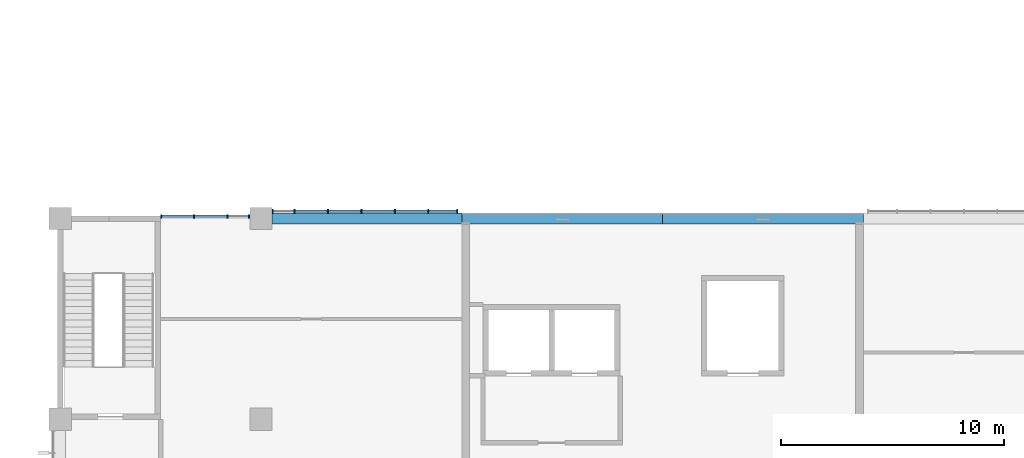
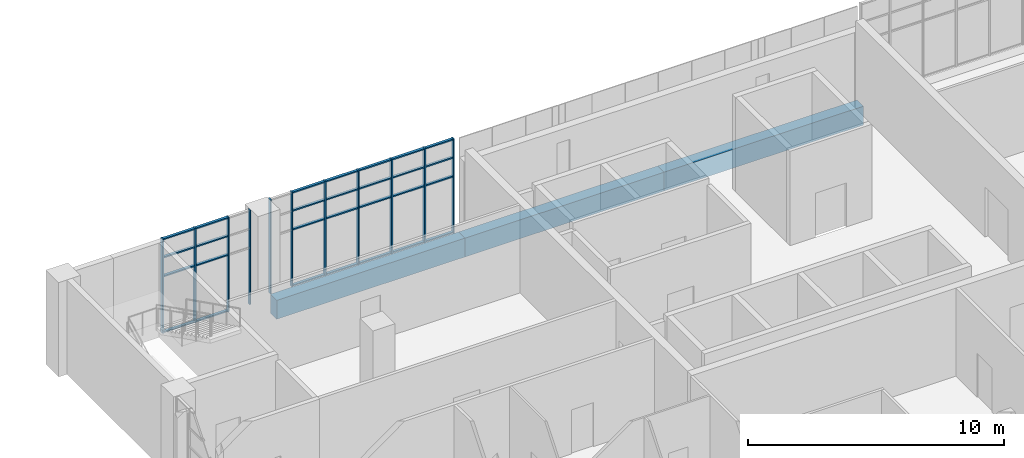
# One storey, part 31 of 88: 39 members, 3 beams, 2 elements without a shape of their own.
"""IFC4 building model written with IfcOpenShell, lengths in metres."""

from ifc_helpers import new_model, si_unit, direction, frame, origin, origin_2d, place, context, subcontext, project, spatial, rectangle, extrude, material, layer, layer_set, material_profile, profile_set, type_object, element, aggregate, save


model = new_model("IFC4")

# Units and contexts
model_context = context("Model", 3, precision=1e-05, world=origin(), true_north=direction((0.0, 1.0)))
body_context = subcontext(model_context, "Body", "Model", "MODEL_VIEW")
ifc_project = project(units=[si_unit("LENGTHUNIT", "METRE"), si_unit("AREAUNIT", "SQUARE_METRE"), si_unit("VOLUMEUNIT", "CUBIC_METRE"), si_unit("PLANEANGLEUNIT", "RADIAN"), si_unit("MASSUNIT", "GRAM", prefix="KILO")], contexts=[model_context])

# Site, building, storey
site_placement = place(None, origin())
site = spatial("IfcSite", under=ifc_project, at=site_placement, CompositionType="ELEMENT")
building_placement = place(site_placement, origin())
building = spatial("IfcBuilding", under=site, at=building_placement, Name="Guidao Yard Department Store", CompositionType="ELEMENT")
storey_placement = place(building_placement, frame((0.0, 0.0, 6.0)))
storey = spatial("IfcBuildingStorey", under=building, at=storey_placement, Name="L01", CompositionType="ELEMENT", Elevation=6.0)

# Curtain wall, members
ifc_material_1 = material(Name="Aluminium and glass", Category="aluminium")
ifc_layer = layer(ifc_material_1, 0.159912109375)
ifc_layer_set = layer_set([ifc_layer], Name="Unitised curtain wall CW4 1500 module")
curtain_wall_type = type_object("IfcCurtainWallType", Name="Unitised curtain wall CW4 1500 module", PredefinedType="NOTDEFINED", material=ifc_layer_set)
curtain_wall_1_placement = place(storey_placement, origin())
curtain_wall_1 = element("IfcCurtainWall", 1, at=curtain_wall_1_placement, inside=storey, type_object=curtain_wall_type, Name="Unitised curtain wall", PredefinedType="NOTDEFINED")
ifc_material_2 = material(Name="Aluminium 6063-T5", Category="aluminium")
ifc_material_profile_1 = material_profile(ifc_material_2, rectangle(XDim=0.06005859375, YDim=0.159912109375, at=origin_2d()), Name="Mullion M1 60 x 160 aluminium pressure plate")
ifc_profile_set_1 = profile_set([ifc_material_profile_1], Name="Aluminium 6063-T5")
member_type_1 = type_object("IfcMemberType", Name="Mullion M1 60 x 160 aluminium pressure plate", PredefinedType="MULLION", material=ifc_profile_set_1)
member_1_placement = place(storey_placement, frame((130.530029296875, 27.10009765625, 0.0), z_axis=(0.0, 0.0, 1.0), x_axis=(1.0, 0.0, 0.0)))
member_1 = element("IfcMember", 2, at=member_1_placement, type_object=member_type_1, Name="CW-OW-L01-06 mullion 1", PredefinedType="MULLION", context=body_context, shape_type="SweptSolid", body=[
    extrude(rectangle(XDim=0.06005859375, YDim=0.159912109375, at=origin_2d()), origin(), (0.0, 0.0, 1.0), 4.5),
])
member_2_placement = place(storey_placement, frame((132.0, 27.10009765625, 0.0), z_axis=(0.0, 0.0, 1.0), x_axis=(1.0, 0.0, 0.0)))
member_2 = element("IfcMember", 3, at=member_2_placement, type_object=member_type_1, Name="CW-OW-L01-06 mullion 2", PredefinedType="MULLION", context=body_context, shape_type="SweptSolid", body=[
    extrude(rectangle(XDim=0.06005859375, YDim=0.159912109375, at=origin_2d()), origin(), (0.0, 0.0, 1.0), 4.5),
])
member_3_placement = place(storey_placement, frame((133.5, 27.10009765625, 0.0), z_axis=(0.0, 0.0, 1.0), x_axis=(1.0, 0.0, 0.0)))
member_3 = element("IfcMember", 4, at=member_3_placement, type_object=member_type_1, Name="CW-OW-L01-06 mullion 3", PredefinedType="MULLION", context=body_context, shape_type="SweptSolid", body=[
    extrude(rectangle(XDim=0.06005859375, YDim=0.159912109375, at=origin_2d()), origin(), (0.0, 0.0, 1.0), 4.5),
])
member_4_placement = place(storey_placement, frame((134.469970703125, 27.10009765625, 0.0), z_axis=(0.0, 0.0, 1.0), x_axis=(1.0, 0.0, 0.0)))
member_4 = element("IfcMember", 5, at=member_4_placement, type_object=member_type_1, Name="CW-OW-L01-06 mullion 4", PredefinedType="MULLION", context=body_context, shape_type="SweptSolid", body=[
    extrude(rectangle(XDim=0.06005859375, YDim=0.159912109375, at=origin_2d()), origin(), (0.0, 0.0, 1.0), 4.5),
])

curtain_wall_2_placement = place(storey_placement, origin())
curtain_wall_2 = element("IfcCurtainWall", 6, at=curtain_wall_2_placement, inside=storey, type_object=curtain_wall_type, Name="Unitised curtain wall", PredefinedType="NOTDEFINED")
member_5_placement = place(storey_placement, frame((135.530029296875, 27.330078125, 0.0), z_axis=(0.0, 0.0, 1.0), x_axis=(1.0, 0.0, 0.0)))
member_5 = element("IfcMember", 7, at=member_5_placement, type_object=member_type_1, Name="CW-OW-L01-07 mullion 1", PredefinedType="MULLION", context=body_context, shape_type="SweptSolid", body=[
    extrude(rectangle(XDim=0.06005859375, YDim=0.159912109375, at=origin_2d()), origin(), (0.0, 0.0, 1.0), 4.5),
])
member_6_placement = place(storey_placement, frame((136.5, 27.330078125, 0.0), z_axis=(0.0, 0.0, 1.0), x_axis=(1.0, 0.0, 0.0)))
member_6 = element("IfcMember", 8, at=member_6_placement, type_object=member_type_1, Name="CW-OW-L01-07 mullion 2", PredefinedType="MULLION", context=body_context, shape_type="SweptSolid", body=[
    extrude(rectangle(XDim=0.06005859375, YDim=0.159912109375, at=origin_2d()), origin(), (0.0, 0.0, 1.0), 4.5),
])
member_7_placement = place(storey_placement, frame((138.0, 27.330078125, 0.0), z_axis=(0.0, 0.0, 1.0), x_axis=(1.0, 0.0, 0.0)))
member_7 = element("IfcMember", 9, at=member_7_placement, type_object=member_type_1, Name="CW-OW-L01-07 mullion 3", PredefinedType="MULLION", context=body_context, shape_type="SweptSolid", body=[
    extrude(rectangle(XDim=0.06005859375, YDim=0.159912109375, at=origin_2d()), origin(), (0.0, 0.0, 1.0), 4.5),
])
member_8_placement = place(storey_placement, frame((139.5, 27.330078125, 0.0), z_axis=(0.0, 0.0, 1.0), x_axis=(1.0, 0.0, 0.0)))
member_8 = element("IfcMember", 10, at=member_8_placement, type_object=member_type_1, Name="CW-OW-L01-07 mullion 4", PredefinedType="MULLION", context=body_context, shape_type="SweptSolid", body=[
    extrude(rectangle(XDim=0.06005859375, YDim=0.159912109375, at=origin_2d()), origin(), (0.0, 0.0, 1.0), 4.5),
])
member_9_placement = place(storey_placement, frame((141.0, 27.330078125, 0.0), z_axis=(0.0, 0.0, 1.0), x_axis=(1.0, 0.0, 0.0)))
member_9 = element("IfcMember", 11, at=member_9_placement, type_object=member_type_1, Name="CW-OW-L01-07 mullion 5", PredefinedType="MULLION", context=body_context, shape_type="SweptSolid", body=[
    extrude(rectangle(XDim=0.06005859375, YDim=0.159912109375, at=origin_2d()), origin(), (0.0, 0.0, 1.0), 4.5),
])
member_10_placement = place(storey_placement, frame((142.5, 27.330078125, 0.0), z_axis=(0.0, 0.0, 1.0), x_axis=(1.0, 0.0, 0.0)))
member_10 = element("IfcMember", 12, at=member_10_placement, type_object=member_type_1, Name="CW-OW-L01-07 mullion 6", PredefinedType="MULLION", context=body_context, shape_type="SweptSolid", body=[
    extrude(rectangle(XDim=0.06005859375, YDim=0.159912109375, at=origin_2d()), origin(), (0.0, 0.0, 1.0), 4.5),
])
member_11_placement = place(storey_placement, frame((143.794921875, 27.330078125, 0.0), z_axis=(0.0, 0.0, 1.0), x_axis=(1.0, 0.0, 0.0)))
member_11 = element("IfcMember", 13, at=member_11_placement, type_object=member_type_1, Name="CW-OW-L01-07 mullion 7", PredefinedType="MULLION", context=body_context, shape_type="SweptSolid", body=[
    extrude(rectangle(XDim=0.06005859375, YDim=0.159912109375, at=origin_2d()), origin(), (0.0, 0.0, 1.0), 4.5),
])

# Beams
ifc_material_3 = material(Name="Concrete C40", Category="concrete")
ifc_material_profile_2 = material_profile(ifc_material_3, rectangle(XDim=0.5, YDim=0.89990234375, at=origin_2d()), Name="Spandrel beam 500 x 900 C40")
ifc_profile_set_2 = profile_set([ifc_material_profile_2], Name="Concrete C40")
beam_type = type_object("IfcBeamType", Name="Spandrel beam 500 x 900 C40", PredefinedType="SPANDREL", material=ifc_profile_set_2)
beam_placement = place(storey_placement, frame((135.5, 27.0, -0.449951171875), z_axis=(1.0, 0.0, 0.0), x_axis=(0.0, 1.0, 0.0)))
element("IfcBeam", 14, at=beam_placement, inside=storey, type_object=beam_type, Name="Beam FB05", PredefinedType="SPANDREL", context=body_context, shape_type="SweptSolid", body=[
    extrude(rectangle(XDim=0.5, YDim=0.89990234375, at=origin_2d()), origin(), (0.0, 0.0, 1.0), 8.5),
])
for number, where, z_axis, x_axis, name in (
    (15, (144.0, 27.0, -0.449951171875), (1.0, 0.0, 0.0), (0.0, 1.0, 0.0), "Beam FB06"),
    (16, (153.0, 27.0, -0.449951171875), (1.0, 0.0, 0.0), (0.0, 1.0, 0.0), "Beam FB07"),
):
    element("IfcBeam", number, at=place(storey_placement, frame(where, z_axis=z_axis, x_axis=x_axis)), inside=storey, type_object=beam_type, Name=name, PredefinedType="SPANDREL", context=body_context, shape_type="SweptSolid", body=[
        extrude(rectangle(XDim=0.5, YDim=0.89990234375, at=origin_2d()), origin(), (0.0, 0.0, 1.0), 9.0),
    ])

# Member
ifc_material_4 = material(Name="Aluminium 6063-T5", Category="aluminium")
ifc_material_profile_3 = material_profile(ifc_material_4, rectangle(XDim=0.1201171875, YDim=0.06005859375, at=origin_2d()), Name="Transom T1 60 x 120 aluminium pressure plate")
ifc_profile_set_3 = profile_set([ifc_material_profile_3], Name="Aluminium 6063-T5")
member_type_2 = type_object("IfcMemberType", Name="Transom T1 60 x 120 aluminium pressure plate", PredefinedType="USERDEFINED", material=ifc_profile_set_3)
member_12_placement = place(storey_placement, frame((130.56005859375, 27.10009765625, 0.030029296875), z_axis=(1.0, 0.0, 0.0), x_axis=(0.0, 1.0, 0.0)))
member_12 = element("IfcMember", 17, at=member_12_placement, type_object=member_type_2, Name="CW-OW-L01-06 transom 1.1", ObjectType="TRANSOM", PredefinedType="USERDEFINED", context=body_context, shape_type="SweptSolid", body=[
    extrude(rectangle(XDim=0.1201171875, YDim=0.06005859375, at=origin_2d()), origin(), (0.0, 0.0, 1.0), 1.409912109375),
])

member_13_placement = place(storey_placement, frame((130.56005859375, 27.10009765625, 2.699951171875), z_axis=(1.0, 0.0, 0.0), x_axis=(0.0, 1.0, 0.0)))
member_13 = element("IfcMember", 18, at=member_13_placement, type_object=member_type_2, Name="CW-OW-L01-06 transom 1.2", ObjectType="TRANSOM", PredefinedType="USERDEFINED", context=body_context, shape_type="SweptSolid", body=[
    extrude(rectangle(XDim=0.1201171875, YDim=0.06005859375, at=origin_2d()), origin(), (0.0, 0.0, 1.0), 1.409912109375),
])

member_14_placement = place(storey_placement, frame((130.56005859375, 27.10009765625, 3.60009765625), z_axis=(1.0, 0.0, 0.0), x_axis=(0.0, 1.0, 0.0)))
member_14 = element("IfcMember", 19, at=member_14_placement, type_object=member_type_2, Name="CW-OW-L01-06 transom 1.3", ObjectType="TRANSOM", PredefinedType="USERDEFINED", context=body_context, shape_type="SweptSolid", body=[
    extrude(rectangle(XDim=0.1201171875, YDim=0.06005859375, at=origin_2d()), origin(), (0.0, 0.0, 1.0), 1.409912109375),
])

member_15_placement = place(storey_placement, frame((130.56005859375, 27.10009765625, 4.469970703125), z_axis=(1.0, 0.0, 0.0), x_axis=(0.0, 1.0, 0.0)))
member_15 = element("IfcMember", 20, at=member_15_placement, type_object=member_type_2, Name="CW-OW-L01-06 transom 1.4", ObjectType="TRANSOM", PredefinedType="USERDEFINED", context=body_context, shape_type="SweptSolid", body=[
    extrude(rectangle(XDim=0.1201171875, YDim=0.06005859375, at=origin_2d()), origin(), (0.0, 0.0, 1.0), 1.409912109375),
])

member_16_placement = place(storey_placement, frame((132.030029296875, 27.10009765625, 0.030029296875), z_axis=(1.0, 0.0, 0.0), x_axis=(0.0, 1.0, 0.0)))
member_16 = element("IfcMember", 21, at=member_16_placement, type_object=member_type_2, Name="CW-OW-L01-06 transom 2.1", ObjectType="TRANSOM", PredefinedType="USERDEFINED", context=body_context, shape_type="SweptSolid", body=[
    extrude(rectangle(XDim=0.1201171875, YDim=0.06005859375, at=origin_2d()), origin(), (0.0, 0.0, 1.0), 1.43994140625),
])

member_17_placement = place(storey_placement, frame((132.030029296875, 27.10009765625, 2.699951171875), z_axis=(1.0, 0.0, 0.0), x_axis=(0.0, 1.0, 0.0)))
member_17 = element("IfcMember", 22, at=member_17_placement, type_object=member_type_2, Name="CW-OW-L01-06 transom 2.2", ObjectType="TRANSOM", PredefinedType="USERDEFINED", context=body_context, shape_type="SweptSolid", body=[
    extrude(rectangle(XDim=0.1201171875, YDim=0.06005859375, at=origin_2d()), origin(), (0.0, 0.0, 1.0), 1.43994140625),
])

member_18_placement = place(storey_placement, frame((132.030029296875, 27.10009765625, 3.60009765625), z_axis=(1.0, 0.0, 0.0), x_axis=(0.0, 1.0, 0.0)))
member_18 = element("IfcMember", 23, at=member_18_placement, type_object=member_type_2, Name="CW-OW-L01-06 transom 2.3", ObjectType="TRANSOM", PredefinedType="USERDEFINED", context=body_context, shape_type="SweptSolid", body=[
    extrude(rectangle(XDim=0.1201171875, YDim=0.06005859375, at=origin_2d()), origin(), (0.0, 0.0, 1.0), 1.43994140625),
])

member_19_placement = place(storey_placement, frame((132.030029296875, 27.10009765625, 4.469970703125), z_axis=(1.0, 0.0, 0.0), x_axis=(0.0, 1.0, 0.0)))
member_19 = element("IfcMember", 24, at=member_19_placement, type_object=member_type_2, Name="CW-OW-L01-06 transom 2.4", ObjectType="TRANSOM", PredefinedType="USERDEFINED", context=body_context, shape_type="SweptSolid", body=[
    extrude(rectangle(XDim=0.1201171875, YDim=0.06005859375, at=origin_2d()), origin(), (0.0, 0.0, 1.0), 1.43994140625),
])

aggregate(curtain_wall_1, [member_1, member_2, member_3, member_4, member_12, member_13, member_14, member_15, member_16, member_17, member_18, member_19])

member_20_placement = place(storey_placement, frame((136.530029296875, 27.330078125, 0.030029296875), z_axis=(1.0, 0.0, 0.0), x_axis=(0.0, 1.0, 0.0)))
member_20 = element("IfcMember", 25, at=member_20_placement, type_object=member_type_2, Name="CW-OW-L01-07 transom 2.1", ObjectType="TRANSOM", PredefinedType="USERDEFINED", context=body_context, shape_type="SweptSolid", body=[
    extrude(rectangle(XDim=0.1201171875, YDim=0.06005859375, at=origin_2d()), origin(), (0.0, 0.0, 1.0), 1.43994140625),
])

member_21_placement = place(storey_placement, frame((136.530029296875, 27.330078125, 2.699951171875), z_axis=(1.0, 0.0, 0.0), x_axis=(0.0, 1.0, 0.0)))
member_21 = element("IfcMember", 26, at=member_21_placement, type_object=member_type_2, Name="CW-OW-L01-07 transom 2.2", ObjectType="TRANSOM", PredefinedType="USERDEFINED", context=body_context, shape_type="SweptSolid", body=[
    extrude(rectangle(XDim=0.1201171875, YDim=0.06005859375, at=origin_2d()), origin(), (0.0, 0.0, 1.0), 1.43994140625),
])

member_22_placement = place(storey_placement, frame((136.530029296875, 27.330078125, 3.60009765625), z_axis=(1.0, 0.0, 0.0), x_axis=(0.0, 1.0, 0.0)))
member_22 = element("IfcMember", 27, at=member_22_placement, type_object=member_type_2, Name="CW-OW-L01-07 transom 2.3", ObjectType="TRANSOM", PredefinedType="USERDEFINED", context=body_context, shape_type="SweptSolid", body=[
    extrude(rectangle(XDim=0.1201171875, YDim=0.06005859375, at=origin_2d()), origin(), (0.0, 0.0, 1.0), 1.43994140625),
])

member_23_placement = place(storey_placement, frame((136.530029296875, 27.330078125, 4.469970703125), z_axis=(1.0, 0.0, 0.0), x_axis=(0.0, 1.0, 0.0)))
member_23 = element("IfcMember", 28, at=member_23_placement, type_object=member_type_2, Name="CW-OW-L01-07 transom 2.4", ObjectType="TRANSOM", PredefinedType="USERDEFINED", context=body_context, shape_type="SweptSolid", body=[
    extrude(rectangle(XDim=0.1201171875, YDim=0.06005859375, at=origin_2d()), origin(), (0.0, 0.0, 1.0), 1.43994140625),
])

member_24_placement = place(storey_placement, frame((138.030029296875, 27.330078125, 0.030029296875), z_axis=(1.0, 0.0, 0.0), x_axis=(0.0, 1.0, 0.0)))
member_24 = element("IfcMember", 29, at=member_24_placement, type_object=member_type_2, Name="CW-OW-L01-07 transom 3.1", ObjectType="TRANSOM", PredefinedType="USERDEFINED", context=body_context, shape_type="SweptSolid", body=[
    extrude(rectangle(XDim=0.1201171875, YDim=0.06005859375, at=origin_2d()), origin(), (0.0, 0.0, 1.0), 1.43994140625),
])

member_25_placement = place(storey_placement, frame((138.030029296875, 27.330078125, 2.699951171875), z_axis=(1.0, 0.0, 0.0), x_axis=(0.0, 1.0, 0.0)))
member_25 = element("IfcMember", 30, at=member_25_placement, type_object=member_type_2, Name="CW-OW-L01-07 transom 3.2", ObjectType="TRANSOM", PredefinedType="USERDEFINED", context=body_context, shape_type="SweptSolid", body=[
    extrude(rectangle(XDim=0.1201171875, YDim=0.06005859375, at=origin_2d()), origin(), (0.0, 0.0, 1.0), 1.43994140625),
])

member_26_placement = place(storey_placement, frame((138.030029296875, 27.330078125, 3.60009765625), z_axis=(1.0, 0.0, 0.0), x_axis=(0.0, 1.0, 0.0)))
member_26 = element("IfcMember", 31, at=member_26_placement, type_object=member_type_2, Name="CW-OW-L01-07 transom 3.3", ObjectType="TRANSOM", PredefinedType="USERDEFINED", context=body_context, shape_type="SweptSolid", body=[
    extrude(rectangle(XDim=0.1201171875, YDim=0.06005859375, at=origin_2d()), origin(), (0.0, 0.0, 1.0), 1.43994140625),
])

member_27_placement = place(storey_placement, frame((138.030029296875, 27.330078125, 4.469970703125), z_axis=(1.0, 0.0, 0.0), x_axis=(0.0, 1.0, 0.0)))
member_27 = element("IfcMember", 32, at=member_27_placement, type_object=member_type_2, Name="CW-OW-L01-07 transom 3.4", ObjectType="TRANSOM", PredefinedType="USERDEFINED", context=body_context, shape_type="SweptSolid", body=[
    extrude(rectangle(XDim=0.1201171875, YDim=0.06005859375, at=origin_2d()), origin(), (0.0, 0.0, 1.0), 1.43994140625),
])

member_28_placement = place(storey_placement, frame((139.530029296875, 27.330078125, 0.030029296875), z_axis=(1.0, 0.0, 0.0), x_axis=(0.0, 1.0, 0.0)))
member_28 = element("IfcMember", 33, at=member_28_placement, type_object=member_type_2, Name="CW-OW-L01-07 transom 4.1", ObjectType="TRANSOM", PredefinedType="USERDEFINED", context=body_context, shape_type="SweptSolid", body=[
    extrude(rectangle(XDim=0.1201171875, YDim=0.06005859375, at=origin_2d()), origin(), (0.0, 0.0, 1.0), 1.43994140625),
])

member_29_placement = place(storey_placement, frame((139.530029296875, 27.330078125, 2.699951171875), z_axis=(1.0, 0.0, 0.0), x_axis=(0.0, 1.0, 0.0)))
member_29 = element("IfcMember", 34, at=member_29_placement, type_object=member_type_2, Name="CW-OW-L01-07 transom 4.2", ObjectType="TRANSOM", PredefinedType="USERDEFINED", context=body_context, shape_type="SweptSolid", body=[
    extrude(rectangle(XDim=0.1201171875, YDim=0.06005859375, at=origin_2d()), origin(), (0.0, 0.0, 1.0), 1.43994140625),
])

member_30_placement = place(storey_placement, frame((139.530029296875, 27.330078125, 3.60009765625), z_axis=(1.0, 0.0, 0.0), x_axis=(0.0, 1.0, 0.0)))
member_30 = element("IfcMember", 35, at=member_30_placement, type_object=member_type_2, Name="CW-OW-L01-07 transom 4.3", ObjectType="TRANSOM", PredefinedType="USERDEFINED", context=body_context, shape_type="SweptSolid", body=[
    extrude(rectangle(XDim=0.1201171875, YDim=0.06005859375, at=origin_2d()), origin(), (0.0, 0.0, 1.0), 1.43994140625),
])

member_31_placement = place(storey_placement, frame((139.530029296875, 27.330078125, 4.469970703125), z_axis=(1.0, 0.0, 0.0), x_axis=(0.0, 1.0, 0.0)))
member_31 = element("IfcMember", 36, at=member_31_placement, type_object=member_type_2, Name="CW-OW-L01-07 transom 4.4", ObjectType="TRANSOM", PredefinedType="USERDEFINED", context=body_context, shape_type="SweptSolid", body=[
    extrude(rectangle(XDim=0.1201171875, YDim=0.06005859375, at=origin_2d()), origin(), (0.0, 0.0, 1.0), 1.43994140625),
])

member_32_placement = place(storey_placement, frame((141.030029296875, 27.330078125, 0.030029296875), z_axis=(1.0, 0.0, 0.0), x_axis=(0.0, 1.0, 0.0)))
member_32 = element("IfcMember", 37, at=member_32_placement, type_object=member_type_2, Name="CW-OW-L01-07 transom 5.1", ObjectType="TRANSOM", PredefinedType="USERDEFINED", context=body_context, shape_type="SweptSolid", body=[
    extrude(rectangle(XDim=0.1201171875, YDim=0.06005859375, at=origin_2d()), origin(), (0.0, 0.0, 1.0), 1.43994140625),
])

member_33_placement = place(storey_placement, frame((141.030029296875, 27.330078125, 2.699951171875), z_axis=(1.0, 0.0, 0.0), x_axis=(0.0, 1.0, 0.0)))
member_33 = element("IfcMember", 38, at=member_33_placement, type_object=member_type_2, Name="CW-OW-L01-07 transom 5.2", ObjectType="TRANSOM", PredefinedType="USERDEFINED", context=body_context, shape_type="SweptSolid", body=[
    extrude(rectangle(XDim=0.1201171875, YDim=0.06005859375, at=origin_2d()), origin(), (0.0, 0.0, 1.0), 1.43994140625),
])

member_34_placement = place(storey_placement, frame((141.030029296875, 27.330078125, 3.60009765625), z_axis=(1.0, 0.0, 0.0), x_axis=(0.0, 1.0, 0.0)))
member_34 = element("IfcMember", 39, at=member_34_placement, type_object=member_type_2, Name="CW-OW-L01-07 transom 5.3", ObjectType="TRANSOM", PredefinedType="USERDEFINED", context=body_context, shape_type="SweptSolid", body=[
    extrude(rectangle(XDim=0.1201171875, YDim=0.06005859375, at=origin_2d()), origin(), (0.0, 0.0, 1.0), 1.43994140625),
])

member_35_placement = place(storey_placement, frame((141.030029296875, 27.330078125, 4.469970703125), z_axis=(1.0, 0.0, 0.0), x_axis=(0.0, 1.0, 0.0)))
member_35 = element("IfcMember", 40, at=member_35_placement, type_object=member_type_2, Name="CW-OW-L01-07 transom 5.4", ObjectType="TRANSOM", PredefinedType="USERDEFINED", context=body_context, shape_type="SweptSolid", body=[
    extrude(rectangle(XDim=0.1201171875, YDim=0.06005859375, at=origin_2d()), origin(), (0.0, 0.0, 1.0), 1.43994140625),
])

member_36_placement = place(storey_placement, frame((142.530029296875, 27.330078125, 0.030029296875), z_axis=(1.0, 0.0, 0.0), x_axis=(0.0, 1.0, 0.0)))
member_36 = element("IfcMember", 41, at=member_36_placement, type_object=member_type_2, Name="CW-OW-L01-07 transom 6.1", ObjectType="TRANSOM", PredefinedType="USERDEFINED", context=body_context, shape_type="SweptSolid", body=[
    extrude(rectangle(XDim=0.1201171875, YDim=0.06005859375, at=origin_2d()), origin(), (0.0, 0.0, 1.0), 1.23486328125),
])

member_37_placement = place(storey_placement, frame((142.530029296875, 27.330078125, 2.699951171875), z_axis=(1.0, 0.0, 0.0), x_axis=(0.0, 1.0, 0.0)))
member_37 = element("IfcMember", 42, at=member_37_placement, type_object=member_type_2, Name="CW-OW-L01-07 transom 6.2", ObjectType="TRANSOM", PredefinedType="USERDEFINED", context=body_context, shape_type="SweptSolid", body=[
    extrude(rectangle(XDim=0.1201171875, YDim=0.06005859375, at=origin_2d()), origin(), (0.0, 0.0, 1.0), 1.23486328125),
])

member_38_placement = place(storey_placement, frame((142.530029296875, 27.330078125, 3.60009765625), z_axis=(1.0, 0.0, 0.0), x_axis=(0.0, 1.0, 0.0)))
member_38 = element("IfcMember", 43, at=member_38_placement, type_object=member_type_2, Name="CW-OW-L01-07 transom 6.3", ObjectType="TRANSOM", PredefinedType="USERDEFINED", context=body_context, shape_type="SweptSolid", body=[
    extrude(rectangle(XDim=0.1201171875, YDim=0.06005859375, at=origin_2d()), origin(), (0.0, 0.0, 1.0), 1.23486328125),
])

member_39_placement = place(storey_placement, frame((142.530029296875, 27.330078125, 4.469970703125), z_axis=(1.0, 0.0, 0.0), x_axis=(0.0, 1.0, 0.0)))
member_39 = element("IfcMember", 44, at=member_39_placement, type_object=member_type_2, Name="CW-OW-L01-07 transom 6.4", ObjectType="TRANSOM", PredefinedType="USERDEFINED", context=body_context, shape_type="SweptSolid", body=[
    extrude(rectangle(XDim=0.1201171875, YDim=0.06005859375, at=origin_2d()), origin(), (0.0, 0.0, 1.0), 1.23486328125),
])

aggregate(curtain_wall_2, [member_5, member_6, member_7, member_8, member_9, member_10, member_11, member_20, member_21, member_22, member_23, member_24, member_25, member_26, member_27, member_28, member_29, member_30, member_31, member_32, member_33, member_34, member_35, member_36, member_37, member_38, member_39])

save(model, "model.ifc")
